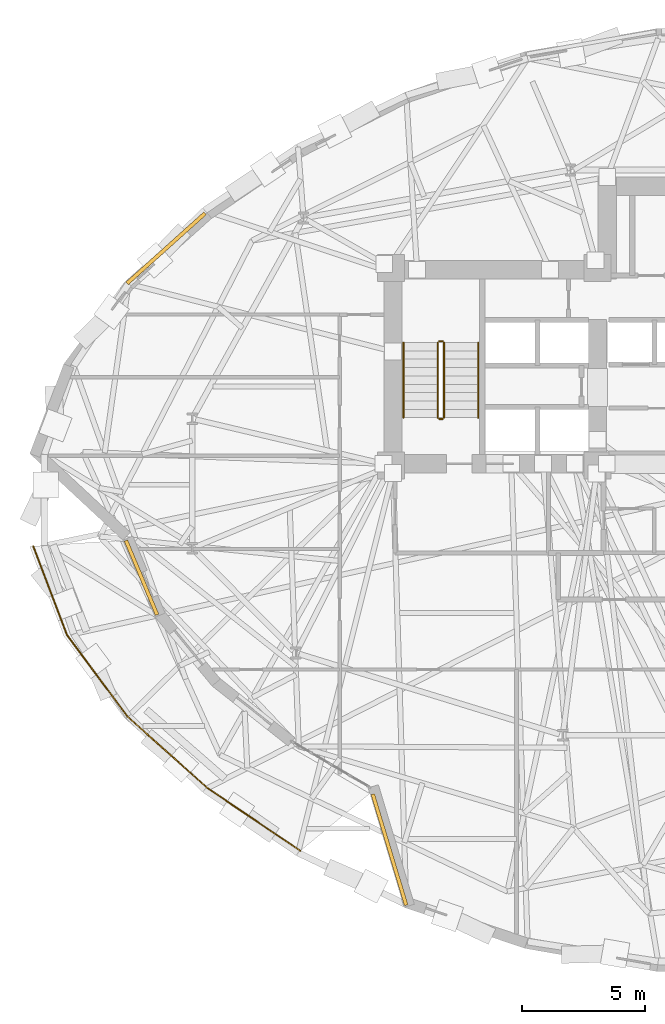
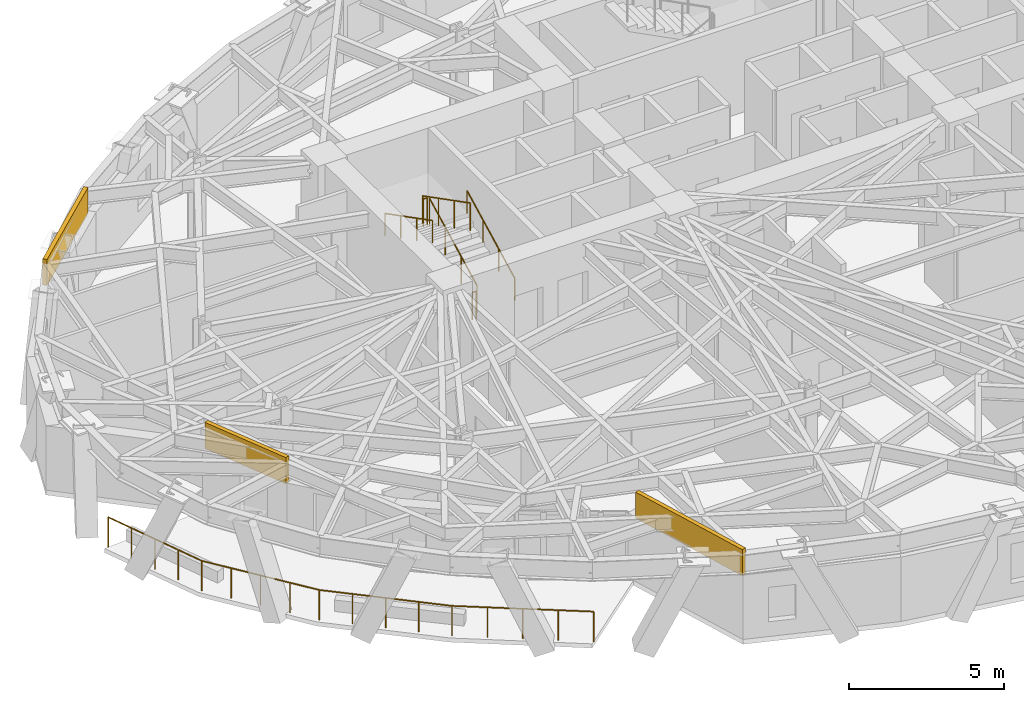
# One storey, part 14 of 17: 7 railings, 3 coverings.
"""IFC4 building model written with IfcOpenShell, lengths in metres."""

from ifc_helpers import new_model, si_unit, direction, frame, origin, origin_2d, place, context, subcontext, project, spatial, rectangle, circle, extrude, material, layer, layer_set, type_object, element, save


model = new_model("IFC4")

# Units and contexts
model_context = context("Model", 3, precision=1e-05, world=origin(), true_north=direction((0.0, 1.0)))
body_context = subcontext(model_context, "Body", "Model", "MODEL_VIEW")
ifc_project = project(units=[si_unit("LENGTHUNIT", "METRE"), si_unit("AREAUNIT", "SQUARE_METRE"), si_unit("VOLUMEUNIT", "CUBIC_METRE"), si_unit("PLANEANGLEUNIT", "RADIAN"), si_unit("MASSUNIT", "GRAM", prefix="KILO")], contexts=[model_context])

# Site, building, storey
site_placement = place(None, origin())
site = spatial("IfcSite", under=ifc_project, at=site_placement, CompositionType="ELEMENT")
building_placement = place(site_placement, origin())
building = spatial("IfcBuilding", under=site, at=building_placement, Name="Keldmark Tower", CompositionType="ELEMENT")
storey_placement = place(building_placement, frame((0.0, 0.0, 96.60009765625)))
storey = spatial("IfcBuildingStorey", under=building, at=storey_placement, Name="L25", CompositionType="ELEMENT", Elevation=96.60009765625)

# Railing
ifc_material_1 = material(Name="DuPont SentryGlas Laminated Glass and Stainless Posts", Category="glass")
railing_type_1 = type_object("IfcRailingType", Name="Heated Laminated Glass Wind-Baffle Guard 1200 mm", PredefinedType="GUARDRAIL", material=ifc_material_1)
railing_1_placement = place(storey_placement, frame((-28.173095703125, -1.881103515625, 0.0)))
element("IfcRailing", 1, at=railing_1_placement, inside=storey, type_object=railing_type_1, Name="L25 Terrace Laminated Glass Wind-Baffle Guard TERR 01", PredefinedType="GUARDRAIL", context=body_context, shape_type="SweptSolid", body=[
    extrude(circle(Radius=0.02392578125, at=origin_2d()), frame((0.0, 0.0, 1.17578125), z_axis=(0.356479036804, -0.934303321368, 0.0), x_axis=(0.934303321368, 0.356479036804, 0.0)), (0.0, 0.0, 1.0), 3.882568359375),
    extrude(circle(Radius=0.02392578125, at=origin_2d()), frame((1.384033203125, -3.62744140625, 1.17578125), z_axis=(0.596277089282, -0.802778694783, 0.0), x_axis=(0.802778694783, 0.596277089282, 0.0)), (0.0, 0.0, 1.0), 4.1201171875),
    extrude(circle(Radius=0.02392578125, at=origin_2d()), frame((3.8408203125, -6.93505859375, 1.17578125), z_axis=(0.745254479204, -0.666780144595, 0.0), x_axis=(0.666780144595, 0.745254479204, 0.0)), (0.0, 0.0, 1.0), 4.36474609375),
    extrude(circle(Radius=0.02392578125, at=origin_2d()), frame((7.09375, -9.845458984375, 1.17578125), z_axis=(0.828896984168, -0.559401277829, 0.0), x_axis=(0.559401277829, 0.828896984168, 0.0)), (0.0, 0.0, 1.0), 4.5693359375),
    extrude(circle(Radius=0.02099609375, at=origin_2d()), origin(), (0.0, 0.0, 1.0), 1.15185546875),
    extrude(circle(Radius=0.02099609375, at=origin_2d()), frame((0.345947265625, -0.90673828125, 0.0)), (0.0, 0.0, 1.0), 1.15185546875),
    extrude(circle(Radius=0.02099609375, at=origin_2d()), frame((0.69189453125, -1.813720703125, 0.0)), (0.0, 0.0, 1.0), 1.15185546875),
    extrude(circle(Radius=0.02099609375, at=origin_2d()), frame((1.0380859375, -2.720703125, 0.0)), (0.0, 0.0, 1.0), 1.15185546875),
    extrude(circle(Radius=0.02099609375, at=origin_2d()), frame((1.384033203125, -3.62744140625, 0.0)), (0.0, 0.0, 1.0), 1.15185546875),
    extrude(circle(Radius=0.02099609375, at=origin_2d()), frame((1.998291015625, -4.454345703125, 0.0)), (0.0, 0.0, 1.0), 1.15185546875),
    extrude(circle(Radius=0.02099609375, at=origin_2d()), frame((2.6123046875, -5.28125, 0.0)), (0.0, 0.0, 1.0), 1.15185546875),
    extrude(circle(Radius=0.02099609375, at=origin_2d()), frame((3.2265625, -6.108154296875, 0.0)), (0.0, 0.0, 1.0), 1.15185546875),
    extrude(circle(Radius=0.02099609375, at=origin_2d()), frame((3.8408203125, -6.93505859375, 0.0)), (0.0, 0.0, 1.0), 1.15185546875),
    extrude(circle(Radius=0.02099609375, at=origin_2d()), frame((4.654052734375, -7.66259765625, 0.0)), (0.0, 0.0, 1.0), 1.15185546875),
    extrude(circle(Radius=0.02099609375, at=origin_2d()), frame((5.46728515625, -8.39013671875, 0.0)), (0.0, 0.0, 1.0), 1.15185546875),
    extrude(circle(Radius=0.02099609375, at=origin_2d()), frame((6.280517578125, -9.117919921875, 0.0)), (0.0, 0.0, 1.0), 1.15185546875),
    extrude(circle(Radius=0.02099609375, at=origin_2d()), frame((7.09375, -9.845458984375, 0.0)), (0.0, 0.0, 1.0), 1.15185546875),
    extrude(circle(Radius=0.02099609375, at=origin_2d()), frame((8.04052734375, -10.484375, 0.0)), (0.0, 0.0, 1.0), 1.15185546875),
    extrude(circle(Radius=0.02099609375, at=origin_2d()), frame((8.987548828125, -11.12353515625, 0.0)), (0.0, 0.0, 1.0), 1.15185546875),
    extrude(circle(Radius=0.02099609375, at=origin_2d()), frame((9.9345703125, -11.7626953125, 0.0)), (0.0, 0.0, 1.0), 1.15185546875),
    extrude(circle(Radius=0.02099609375, at=origin_2d()), frame((10.88134765625, -12.401611328125, 0.0)), (0.0, 0.0, 1.0), 1.15185546875),
])

# Coverings
ifc_material_2 = material(Name="Honed Kasota Buff Dolomitic Limestone", Category="masonry")
ifc_layer = layer(ifc_material_2, 0.074951171875)
ifc_layer_set = layer_set([ifc_layer], Name="Honed Kasota Buff Dolomitic Limestone")
covering_type = type_object("IfcCoveringType", Name="Kasota Buff Limestone Spandrel Cladding Band", PredefinedType="CLADDING", material=ifc_layer_set)
covering_1_placement = place(storey_placement, frame((-22.75927734375, 10.247314453125, 2.45166015625), z_axis=(0.0, 0.0, 1.0), x_axis=(-0.743903451691, -0.66828710489, 0.0)))
element("IfcCovering", 2, at=covering_1_placement, inside=storey, type_object=covering_type, Name="L25 Kasota Limestone Spandrel Band 13", PredefinedType="CLADDING", context=body_context, shape_type="SweptSolid", body=[
    extrude(rectangle(XDim=4.265380859375, YDim=0.14990234375, at=origin_2d()), origin(), (0.0, 0.0, 1.0), 1.028076171875),
])
covering_2_placement = place(storey_placement, frame((-23.76123046875, -3.16162109375, 2.45166015625), z_axis=(0.0, 0.0, 1.0), x_axis=(0.387419047044, -0.921903727071, 0.0)))
element("IfcCovering", 3, at=covering_2_placement, inside=storey, type_object=covering_type, Name="L25 Kasota Limestone Spandrel Band 17", PredefinedType="CLADDING", context=body_context, shape_type="SweptSolid", body=[
    extrude(rectangle(XDim=3.279541015625, YDim=0.14990234375, at=origin_2d()), origin(), (0.0, 0.0, 1.0), 1.028076171875),
])
covering_3_placement = place(storey_placement, frame((-13.667724609375, -14.23583984375, 2.45166015625), z_axis=(0.0, 0.0, 1.0), x_axis=(0.288162842412, -0.957581420169, 0.0)))
element("IfcCovering", 4, at=covering_3_placement, inside=storey, type_object=covering_type, Name="L25 Kasota Limestone Spandrel Band 21", PredefinedType="CLADDING", context=body_context, shape_type="SweptSolid", body=[
    extrude(rectangle(XDim=4.716552734375, YDim=0.14990234375, at=origin_2d()), origin(), (0.0, 0.0, 1.0), 1.028076171875),
])

# Railings
ifc_material_3 = material(Name="Painted Steel ASTM A500 Grade B", Category="steel")
railing_type_2 = type_object("IfcRailingType", Name="Painted Steel Stair Well Guard 1100 mm", PredefinedType="GUARDRAIL", material=ifc_material_3)
railing_2_placement = place(storey_placement, frame((-11.449951171875, 3.35009765625, 0.1748046875)))
element("IfcRailing", 5, at=railing_2_placement, inside=storey, type_object=railing_type_2, Name="L25 ST1 stair guard 1", PredefinedType="GUARDRAIL", context=body_context, shape_type="SweptSolid", body=[
    extrude(circle(Radius=0.02392578125, at=origin_2d()), frame((0.0, 0.0, 1.076171875), z_axis=(0.0, 0.889101422983, 0.457710235465), x_axis=(-1.0, 0.0, 0.0)), (0.0, 0.0, 1.0), 3.44140625),
    extrude(circle(Radius=0.02099609375, at=origin_2d()), origin(), (0.0, 0.0, 1.0), 1.052001953125),
    extrude(circle(Radius=0.02099609375, at=origin_2d()), frame((0.0, 1.02001953125, 0.525146484375)), (0.0, 0.0, 1.0), 1.052001953125),
    extrude(circle(Radius=0.02099609375, at=origin_2d()), frame((0.0, 2.039794921875, 1.050048828125)), (0.0, 0.0, 1.0), 1.052001953125),
    extrude(circle(Radius=0.02099609375, at=origin_2d()), frame((0.0, 3.059814453125, 1.5751953125)), (0.0, 0.0, 1.0), 1.052001953125),
])
railing_3_placement = place(storey_placement, frame((-11.5, 6.4599609375, 1.75)))
element("IfcRailing", 6, at=railing_3_placement, inside=storey, type_object=railing_type_2, Name="L25 ST1 stair guard 2", PredefinedType="GUARDRAIL", context=body_context, shape_type="SweptSolid", body=[
    extrude(circle(Radius=0.02392578125, at=origin_2d()), frame((0.0, 0.0, 1.076171875), z_axis=(-1.0, 0.0, 0.0), x_axis=(0.0, -1.0, 0.0)), (0.0, 0.0, 1.0), 0.14990234375),
    extrude(circle(Radius=0.02099609375, at=origin_2d()), origin(), (0.0, 0.0, 1.0), 1.052001953125),
    extrude(circle(Radius=0.02099609375, at=origin_2d()), frame((-0.14990234375, 0.0, 0.0)), (0.0, 0.0, 1.0), 1.052001953125),
])
railing_4_placement = place(storey_placement, frame((-11.699951171875, 6.409912109375, 1.9248046875)))
element("IfcRailing", 7, at=railing_4_placement, inside=storey, type_object=railing_type_2, Name="L25 ST1 stair guard 3", PredefinedType="GUARDRAIL", context=body_context, shape_type="SweptSolid", body=[
    extrude(circle(Radius=0.02392578125, at=origin_2d()), frame((0.0, 0.0, 1.076171875), z_axis=(0.0, -0.889101422983, 0.457710235465), x_axis=(1.0, 0.0, 0.0)), (0.0, 0.0, 1.0), 3.44140625),
    extrude(circle(Radius=0.02099609375, at=origin_2d()), origin(), (0.0, 0.0, 1.0), 1.052001953125),
    extrude(circle(Radius=0.02099609375, at=origin_2d()), frame((0.0, -1.02001953125, 0.525146484375)), (0.0, 0.0, 1.0), 1.052001953125),
    extrude(circle(Radius=0.02099609375, at=origin_2d()), frame((0.0, -2.039794921875, 1.050048828125)), (0.0, 0.0, 1.0), 1.052001953125),
    extrude(circle(Radius=0.02099609375, at=origin_2d()), frame((0.0, -3.059814453125, 1.5751953125)), (0.0, 0.0, 1.0), 1.052001953125),
])
railing_5_placement = place(storey_placement, frame((-11.5, 3.300048828125, 0.0)))
element("IfcRailing", 8, at=railing_5_placement, inside=storey, type_object=railing_type_2, Name="L25 ST1 stair guard 4", PredefinedType="GUARDRAIL", context=body_context, shape_type="SweptSolid", body=[
    extrude(circle(Radius=0.02392578125, at=origin_2d()), frame((0.0, 0.0, 1.076171875), z_axis=(-1.0, 0.0, 0.0), x_axis=(0.0, -1.0, 0.0)), (0.0, 0.0, 1.0), 0.14990234375),
    extrude(circle(Radius=0.02099609375, at=origin_2d()), origin(), (0.0, 0.0, 1.0), 1.052001953125),
    extrude(circle(Radius=0.02099609375, at=origin_2d()), frame((-0.14990234375, 0.0, 0.0)), (0.0, 0.0, 1.0), 1.052001953125),
])
ifc_material_4 = material(Name="Stainless Steel AISI 316L", Category="steel")
railing_type_3 = type_object("IfcRailingType", Name="Stainless Steel Stair Handrail 900 mm", PredefinedType="HANDRAIL", material=ifc_material_4)
railing_6_placement = place(storey_placement, frame((-10.050048828125, 3.35009765625, 0.1748046875)))
element("IfcRailing", 9, at=railing_6_placement, inside=storey, type_object=railing_type_3, Name="L25 ST1 stair handrail 1", PredefinedType="HANDRAIL", context=body_context, shape_type="SweptSolid", body=[
    extrude(circle(Radius=0.02392578125, at=origin_2d()), frame((0.0, 0.0, 0.8759765625), z_axis=(0.0, 0.889101422983, 0.457710235465), x_axis=(-1.0, 0.0, 0.0)), (0.0, 0.0, 1.0), 3.44140625),
    extrude(circle(Radius=0.02099609375, at=origin_2d()), origin(), (0.0, 0.0, 1.0), 0.851806640625),
    extrude(circle(Radius=0.02099609375, at=origin_2d()), frame((0.0, 1.02001953125, 0.525146484375)), (0.0, 0.0, 1.0), 0.851806640625),
    extrude(circle(Radius=0.02099609375, at=origin_2d()), frame((0.0, 2.039794921875, 1.050048828125)), (0.0, 0.0, 1.0), 0.851806640625),
    extrude(circle(Radius=0.02099609375, at=origin_2d()), frame((0.0, 3.059814453125, 1.5751953125)), (0.0, 0.0, 1.0), 0.851806640625),
])
railing_7_placement = place(storey_placement, frame((-13.10009765625, 6.409912109375, 1.9248046875)))
element("IfcRailing", 10, at=railing_7_placement, inside=storey, type_object=railing_type_3, Name="L25 ST1 stair handrail 2", PredefinedType="HANDRAIL", context=body_context, shape_type="SweptSolid", body=[
    extrude(circle(Radius=0.02392578125, at=origin_2d()), frame((0.0, 0.0, 0.8759765625), z_axis=(0.0, -0.889101422983, 0.457710235465), x_axis=(1.0, 0.0, 0.0)), (0.0, 0.0, 1.0), 3.44140625),
    extrude(circle(Radius=0.02099609375, at=origin_2d()), origin(), (0.0, 0.0, 1.0), 0.851806640625),
    extrude(circle(Radius=0.02099609375, at=origin_2d()), frame((0.0, -1.02001953125, 0.525146484375)), (0.0, 0.0, 1.0), 0.851806640625),
    extrude(circle(Radius=0.02099609375, at=origin_2d()), frame((0.0, -2.039794921875, 1.050048828125)), (0.0, 0.0, 1.0), 0.851806640625),
    extrude(circle(Radius=0.02099609375, at=origin_2d()), frame((0.0, -3.059814453125, 1.5751953125)), (0.0, 0.0, 1.0), 0.851806640625),
])

save(model, "model.ifc")
